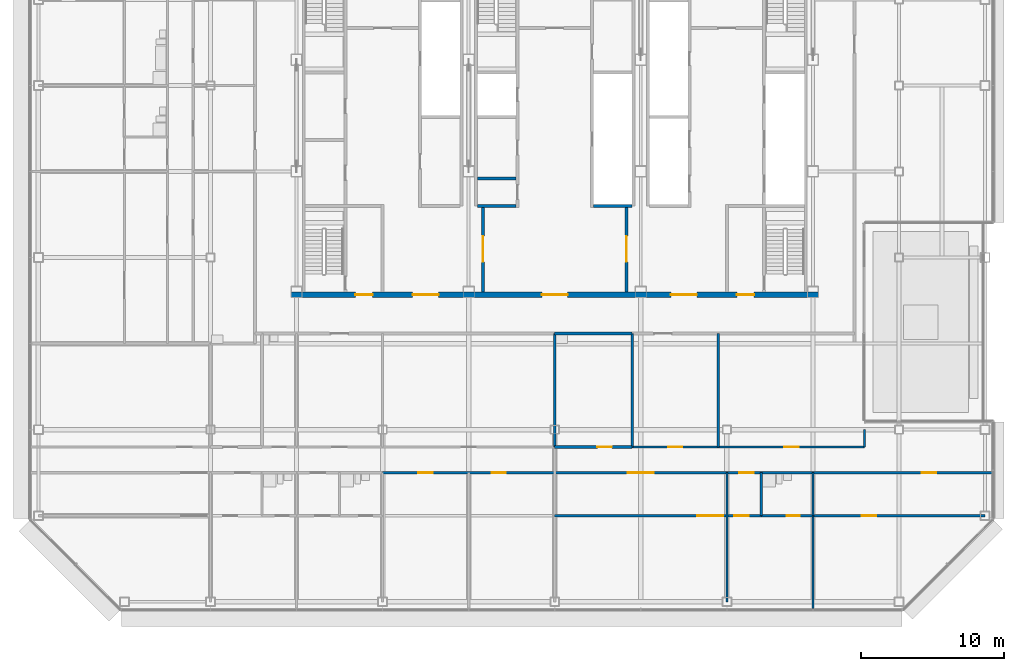
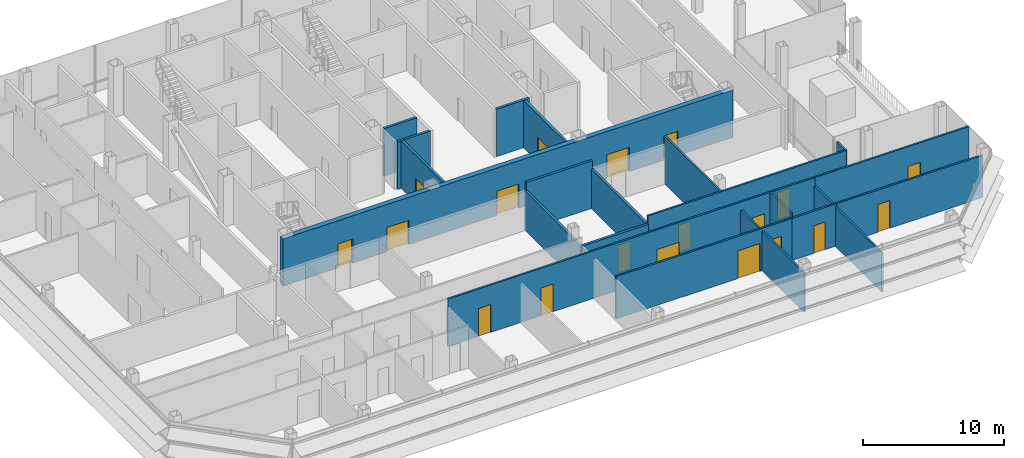
# One storey, part 23 of 30: 23 walls, 19 doors, 19 openings.
"""IFC4 building model written with IfcOpenShell, lengths in metres."""

from ifc_helpers import new_model, si_unit, direction, frame, frame_2d, origin, place, context, subcontext, project, spatial, rectangle, extrude, material, layer, layer_set, type_object, element, fill, save


model = new_model("IFC4")

# Units and contexts
model_context = context("Model", 3, precision=1e-05, world=origin(), true_north=direction((0.0, 1.0)))
body_context = subcontext(model_context, "Body", "Model", "MODEL_VIEW")
ifc_project = project(units=[si_unit("LENGTHUNIT", "METRE"), si_unit("AREAUNIT", "SQUARE_METRE"), si_unit("VOLUMEUNIT", "CUBIC_METRE"), si_unit("PLANEANGLEUNIT", "RADIAN"), si_unit("MASSUNIT", "GRAM", prefix="KILO")], contexts=[model_context])

# Site, building, storey
site_placement = place(None, origin())
site = spatial("IfcSite", under=ifc_project, at=site_placement, CompositionType="ELEMENT")
building_placement = place(site_placement, origin())
building = spatial("IfcBuilding", under=site, at=building_placement, Name="Sorahane Residences", CompositionType="ELEMENT")
storey_placement = place(building_placement, frame((0.0, 0.0, 229.800048828125)))
storey = spatial("IfcBuildingStorey", under=building, at=storey_placement, Name="L54", CompositionType="ELEMENT", Elevation=229.800048828125)

# Walls
ifc_material_1 = material(Name="Concrete blockwork C20 wall", Category="masonry")
ifc_layer_1 = layer(ifc_material_1, 0.199951171875)
ifc_layer_set_1 = layer_set([ifc_layer_1], Name="Kitchen wall 200 EI 180")
wall_type_1 = type_object("IfcWallType", Name="Kitchen wall 200 EI 180", PredefinedType="SOLIDWALL", material=ifc_layer_set_1)
for number, where, z_axis, x_axis, name in (
    (1, (24.0, 10.800048828125, 0.0), (0.0, 0.0, 1.0), (0.0, 1.0, 0.0), "L54 kitchen wall"),
    (2, (29.39990234375, 10.800048828125, 0.0), (0.0, 0.0, 1.0), (0.0, 1.0, 0.0), "L54 kitchen wall"),
):
    element("IfcWall", number, at=place(storey_placement, frame(where, z_axis=z_axis, x_axis=x_axis)), inside=storey, type_object=wall_type_1, Name=name, PredefinedType="SOLIDWALL", context=body_context, shape_type="SweptSolid", body=[
        extrude(rectangle(XDim=7.89990234375, YDim=0.199951171875, at=frame_2d((3.949951171875, 0.0))), origin(), (0.0, 0.0, 1.0), 3.39990234375),
    ])

# Wall, opening, door
wall_1_placement = place(storey_placement, frame((24.0, 10.800048828125, 0.0), z_axis=(0.0, 0.0, 1.0), x_axis=(1.0, 0.0, 0.0)))
wall_1 = element("IfcWall", 3, at=wall_1_placement, inside=storey, type_object=wall_type_1, Name="L54 kitchen wall", PredefinedType="SOLIDWALL", context=body_context, shape_type="SweptSolid", body=[
    extrude(rectangle(XDim=5.39990234375, YDim=0.199951171875, at=frame_2d((2.699951171875, 0.0))), origin(), (0.0, 0.0, 1.0), 3.39990234375),
])
opening_1_placement = place(wall_1_placement, frame((2.97998046875, 0.0, 0.0)))
opening_1 = element("IfcOpeningElement", 4, at=opening_1_placement, cuts=wall_1, Name="Opening L54-17", PredefinedType="OPENING", context=body_context, shape_type="SweptSolid", body=[
    extrude(rectangle(XDim=1.0, YDim=2.39990234375, at=frame_2d((0.5, 1.199951171875))), frame((0.0, 0.10986328125, 0.0), z_axis=(0.0, -1.0, 0.0), x_axis=(1.0, 0.0, 0.0)), (0.0, 0.0, 1.0), 0.219970703125),
])
ifc_material_2 = material(Name="Steel", Category="steel")
door_type_1 = type_object("IfcDoorType", Name="Kitchen door 1000x2400 FD120", OperationType="NOTDEFINED", PredefinedType="DOOR", material=ifc_material_2)
door_1_placement = place(opening_1_placement, origin())
door_1 = element("IfcDoor", 5, at=door_1_placement, inside=storey, type_object=door_type_1, Name="Kitchen door L54-17", OperationType="SINGLE_SWING_RIGHT", OverallHeight=2.39990234375, OverallWidth=1.0, PredefinedType="DOOR", context=body_context, shape_type="SweptSolid", body=[
    extrude(rectangle(XDim=1.0, YDim=2.39990234375, at=frame_2d((0.5, 1.199951171875))), frame((0.0, 0.02490234375, 0.0), z_axis=(0.0, -1.0, 0.0), x_axis=(1.0, 0.0, 0.0)), (0.0, 0.0, 1.0), 0.050048828125),
])
fill(opening_1, door_1)

# Walls
wall_2_placement = place(storey_placement, frame((24.0, 18.699951171875, 0.0), z_axis=(0.0, 0.0, 1.0), x_axis=(1.0, 0.0, 0.0)))
element("IfcWall", 6, at=wall_2_placement, inside=storey, type_object=wall_type_1, Name="L54 kitchen wall", PredefinedType="SOLIDWALL", context=body_context, shape_type="SweptSolid", body=[
    extrude(rectangle(XDim=5.39990234375, YDim=0.199951171875, at=frame_2d((2.699951171875, 0.0))), origin(), (0.0, 0.0, 1.0), 4.099853515625),
])
ifc_material_3 = material(Name="Gypsum board partition on steel studs", Category="steel")
ifc_layer_2 = layer(ifc_material_3, 0.14990234375)
ifc_layer_set_2 = layer_set([ifc_layer_2], Name="Partition 150 EI 90")
wall_type_2 = type_object("IfcWallType", Name="Partition 150 EI 90", PredefinedType="PARTITIONING", material=ifc_layer_set_2)
wall_3_placement = place(storey_placement, frame((35.39990234375, 10.800048828125, 0.0), z_axis=(0.0, 0.0, 1.0), x_axis=(0.0, 1.0, 0.0)))
element("IfcWall", 7, at=wall_3_placement, inside=storey, type_object=wall_type_2, Name="L54 partition", PredefinedType="PARTITIONING", context=body_context, shape_type="SweptSolid", body=[
    extrude(rectangle(XDim=7.89990234375, YDim=0.14990234375, at=frame_2d((3.949951171875, 0.0))), origin(), (0.0, 0.0, 1.0), 4.099853515625),
])
wall_4_placement = place(storey_placement, frame((36.0, 0.0, 0.0), z_axis=(0.0, 0.0, 1.0), x_axis=(0.0, 1.0, 0.0)))
element("IfcWall", 8, at=wall_4_placement, inside=storey, type_object=wall_type_2, Name="L54 partition", PredefinedType="PARTITIONING", context=body_context, shape_type="SweptSolid", body=[
    extrude(rectangle(XDim=9.0, YDim=0.14990234375, at=frame_2d((4.5, 0.0))), origin(), (0.0, 0.0, 1.0), 3.39990234375),
])
wall_5_placement = place(storey_placement, frame((42.0, -0.60009765625, 0.0), z_axis=(0.0, 0.0, 1.0), x_axis=(0.0, 1.0, 0.0)))
element("IfcWall", 9, at=wall_5_placement, inside=storey, type_object=wall_type_2, Name="L54 partition", PredefinedType="PARTITIONING", context=body_context, shape_type="SweptSolid", body=[
    extrude(rectangle(XDim=6.60009765625, YDim=0.14990234375, at=frame_2d((3.300048828125, 0.0))), origin(), (0.0, 0.0, 1.0), 3.39990234375),
])
wall_6_placement = place(storey_placement, frame((45.60009765625, 10.800048828125, 0.0), z_axis=(0.0, 0.0, 1.0), x_axis=(0.0, 1.0, 0.0)))
element("IfcWall", 10, at=wall_6_placement, inside=storey, type_object=wall_type_2, Name="L54 partition", PredefinedType="PARTITIONING", context=body_context, shape_type="SweptSolid", body=[
    extrude(rectangle(XDim=1.199951171875, YDim=0.14990234375, at=frame_2d((0.60009765625, 0.0))), origin(), (0.0, 0.0, 1.0), 4.099853515625),
])

# Wall, openings, doors
wall_7_placement = place(storey_placement, frame((29.39990234375, 10.800048828125, 0.0), z_axis=(0.0, 0.0, 1.0), x_axis=(1.0, 0.0, 0.0)))
wall_7 = element("IfcWall", 11, at=wall_7_placement, inside=storey, type_object=wall_type_2, Name="L54 partition", PredefinedType="PARTITIONING", context=body_context, shape_type="SweptSolid", body=[
    extrude(rectangle(XDim=16.2001953125, YDim=0.14990234375, at=frame_2d((8.10009765625, 0.0))), origin(), (0.0, 0.0, 1.0), 4.099853515625),
])
opening_2_placement = place(wall_7_placement, frame((2.5, 0.0, 0.0)))
opening_2 = element("IfcOpeningElement", 12, at=opening_2_placement, cuts=wall_7, Name="Opening L54-16", PredefinedType="OPENING", context=body_context, shape_type="SweptSolid", body=[
    extrude(rectangle(XDim=1.0, YDim=2.39990234375, at=frame_2d((0.5, 1.199951171875))), frame((0.0, 0.0849609375, 0.0), z_axis=(0.0, -1.0, 0.0), x_axis=(1.0, 0.0, 0.0)), (0.0, 0.0, 1.0), 0.169921875),
])
opening_3_placement = place(wall_7_placement, frame((10.60009765625, 0.0, 0.0)))
opening_3 = element("IfcOpeningElement", 13, at=opening_3_placement, cuts=wall_7, Name="Opening L54-18", PredefinedType="OPENING", context=body_context, shape_type="SweptSolid", body=[
    extrude(rectangle(XDim=1.0, YDim=2.39990234375, at=frame_2d((0.5, 1.199951171875))), frame((0.0, 0.0849609375, 0.0), z_axis=(0.0, -1.0, 0.0), x_axis=(1.0, 0.0, 0.0)), (0.0, 0.0, 1.0), 0.169921875),
])
ifc_material_4 = material(Name="Timber veneered fire door", Category="wood")
door_type_2 = type_object("IfcDoorType", Name="Room door 1000x2400 FD30", OperationType="NOTDEFINED", PredefinedType="DOOR", material=ifc_material_4)
door_2_placement = place(opening_2_placement, frame((1.0, 0.0, 0.0), z_axis=(0.0, 0.0, 1.0), x_axis=(-1.0, 0.0, 0.0)))
door_2 = element("IfcDoor", 14, at=door_2_placement, inside=storey, type_object=door_type_2, Name="Room door L54-16", OperationType="SINGLE_SWING_RIGHT", OverallHeight=2.39990234375, OverallWidth=1.0, PredefinedType="DOOR", context=body_context, shape_type="SweptSolid", body=[
    extrude(rectangle(XDim=1.0, YDim=2.39990234375, at=frame_2d((0.5, 1.199951171875))), frame((0.0, 0.02490234375, 0.0), z_axis=(0.0, -1.0, 0.0), x_axis=(1.0, 0.0, 0.0)), (0.0, 0.0, 1.0), 0.050048828125),
])
fill(opening_2, door_2)
door_3_placement = place(opening_3_placement, origin())
door_3 = element("IfcDoor", 15, at=door_3_placement, inside=storey, type_object=door_type_2, Name="Room door L54-18", OperationType="SINGLE_SWING_LEFT", OverallHeight=2.39990234375, OverallWidth=1.0, PredefinedType="DOOR", context=body_context, shape_type="SweptSolid", body=[
    extrude(rectangle(XDim=1.0, YDim=2.39990234375, at=frame_2d((0.5, 1.199951171875))), frame((0.0, 0.02490234375, 0.0), z_axis=(0.0, -1.0, 0.0), x_axis=(1.0, 0.0, 0.0)), (0.0, 0.0, 1.0), 0.050048828125),
])
fill(opening_3, door_3)

wall_8_placement = place(storey_placement, frame((24.0, 6.0, 0.0), z_axis=(0.0, 0.0, 1.0), x_axis=(1.0, 0.0, 0.0)))
wall_8 = element("IfcWall", 16, at=wall_8_placement, inside=storey, type_object=wall_type_2, Name="L54 partition", PredefinedType="PARTITIONING", context=body_context, shape_type="SweptSolid", body=[
    extrude(rectangle(XDim=14.39990234375, YDim=0.14990234375, at=frame_2d((7.199951171875, 0.0))), origin(), (0.0, 0.0, 1.0), 3.64990234375),
])
opening_4_placement = place(wall_8_placement, frame((9.949951171875, 0.0, 0.0)))
opening_4 = element("IfcOpeningElement", 17, at=opening_4_placement, cuts=wall_8, Name="Opening L54-22", PredefinedType="OPENING", context=body_context, shape_type="SweptSolid", body=[
    extrude(rectangle(XDim=1.800048828125, YDim=2.39990234375, at=frame_2d((0.89990234375, 1.199951171875))), frame((0.0, 0.0849609375, 0.0), z_axis=(0.0, -1.0, 0.0), x_axis=(1.0, 0.0, 0.0)), (0.0, 0.0, 1.0), 0.169921875),
])
opening_5_placement = place(wall_8_placement, frame((12.52001953125, 0.0, 0.0)))
opening_5 = element("IfcOpeningElement", 18, at=opening_5_placement, cuts=wall_8, Name="Opening L54-23", PredefinedType="OPENING", context=body_context, shape_type="SweptSolid", body=[
    extrude(rectangle(XDim=1.0, YDim=2.39990234375, at=frame_2d((0.5, 1.199951171875))), frame((0.0, 0.0849609375, 0.0), z_axis=(0.0, -1.0, 0.0), x_axis=(1.0, 0.0, 0.0)), (0.0, 0.0, 1.0), 0.169921875),
])
ifc_material_5 = material(Name="Timber veneered fire door", Category="wood")
door_type_3 = type_object("IfcDoorType", Name="Double door 1800x2400 FD30", OperationType="NOTDEFINED", PredefinedType="DOOR", material=ifc_material_5)
door_4_placement = place(opening_4_placement, frame((1.800048828125, 0.0, 0.0), z_axis=(0.0, 0.0, 1.0), x_axis=(-1.0, 0.0, 0.0)))
door_4 = element("IfcDoor", 19, at=door_4_placement, inside=storey, type_object=door_type_3, Name="Double door L54-22", OperationType="SINGLE_SWING_RIGHT", OverallHeight=2.39990234375, OverallWidth=1.800048828125, PredefinedType="DOOR", context=body_context, shape_type="SweptSolid", body=[
    extrude(rectangle(XDim=1.800048828125, YDim=2.39990234375, at=frame_2d((0.89990234375, 1.199951171875))), frame((0.0, 0.02490234375, 0.0), z_axis=(0.0, -1.0, 0.0), x_axis=(1.0, 0.0, 0.0)), (0.0, 0.0, 1.0), 0.050048828125),
])
fill(opening_4, door_4)
door_5_placement = place(opening_5_placement, frame((1.0, 0.0, 0.0), z_axis=(0.0, 0.0, 1.0), x_axis=(-1.0, 0.0, 0.0)))
door_5 = element("IfcDoor", 20, at=door_5_placement, inside=storey, type_object=door_type_2, Name="Room door L54-23", OperationType="SINGLE_SWING_RIGHT", OverallHeight=2.39990234375, OverallWidth=1.0, PredefinedType="DOOR", context=body_context, shape_type="SweptSolid", body=[
    extrude(rectangle(XDim=1.0, YDim=2.39990234375, at=frame_2d((0.5, 1.199951171875))), frame((0.0, 0.02490234375, 0.0), z_axis=(0.0, -1.0, 0.0), x_axis=(1.0, 0.0, 0.0)), (0.0, 0.0, 1.0), 0.050048828125),
])
fill(opening_5, door_5)

# Wall, opening, door
wall_9_placement = place(storey_placement, frame((42.0, 6.0, 0.0), z_axis=(0.0, 0.0, 1.0), x_axis=(1.0, 0.0, 0.0)))
wall_9 = element("IfcWall", 21, at=wall_9_placement, inside=storey, type_object=wall_type_2, Name="L54 partition", PredefinedType="PARTITIONING", context=body_context, shape_type="SweptSolid", body=[
    extrude(rectangle(XDim=12.0, YDim=0.14990234375, at=frame_2d((6.0, 0.0))), origin(), (0.0, 0.0, 1.0), 3.64990234375),
])
opening_6_placement = place(wall_9_placement, frame((3.39990234375, 0.0, 0.0)))
opening_6 = element("IfcOpeningElement", 22, at=opening_6_placement, cuts=wall_9, Name="Opening L54-25", PredefinedType="OPENING", context=body_context, shape_type="SweptSolid", body=[
    extrude(rectangle(XDim=1.0, YDim=2.39990234375, at=frame_2d((0.5, 1.199951171875))), frame((0.0, 0.0849609375, 0.0), z_axis=(0.0, -1.0, 0.0), x_axis=(1.0, 0.0, 0.0)), (0.0, 0.0, 1.0), 0.169921875),
])
door_6_placement = place(opening_6_placement, frame((1.0, 0.0, 0.0), z_axis=(0.0, 0.0, 1.0), x_axis=(-1.0, 0.0, 0.0)))
door_6 = element("IfcDoor", 23, at=door_6_placement, inside=storey, type_object=door_type_2, Name="Room door L54-25", OperationType="SINGLE_SWING_LEFT", OverallHeight=2.39990234375, OverallWidth=1.0, PredefinedType="DOOR", context=body_context, shape_type="SweptSolid", body=[
    extrude(rectangle(XDim=1.0, YDim=2.39990234375, at=frame_2d((0.5, 1.199951171875))), frame((0.0, 0.02490234375, 0.0), z_axis=(0.0, -1.0, 0.0), x_axis=(1.0, 0.0, 0.0)), (0.0, 0.0, 1.0), 0.050048828125),
])
fill(opening_6, door_6)

# Wall, openings, doors
wall_10_placement = place(storey_placement, frame((12.0, 9.0, 0.0), z_axis=(0.0, 0.0, 1.0), x_axis=(1.0, 0.0, 0.0)))
wall_10 = element("IfcWall", 24, at=wall_10_placement, inside=storey, type_object=wall_type_2, Name="L54 partition", PredefinedType="PARTITIONING", context=body_context, shape_type="SweptSolid", body=[
    extrude(rectangle(XDim=26.39990234375, YDim=0.14990234375, at=frame_2d((13.199951171875, 0.0))), origin(), (0.0, 0.0, 1.0), 4.099853515625),
])
opening_7_placement = place(wall_10_placement, frame((2.5, 0.0, 0.0)))
opening_7 = element("IfcOpeningElement", 25, at=opening_7_placement, cuts=wall_10, Name="Opening L54-09", PredefinedType="OPENING", context=body_context, shape_type="SweptSolid", body=[
    extrude(rectangle(XDim=1.0, YDim=2.39990234375, at=frame_2d((0.5, 1.199951171875))), frame((0.0, 0.0849609375, 0.0), z_axis=(0.0, -1.0, 0.0), x_axis=(1.0, 0.0, 0.0)), (0.0, 0.0, 1.0), 0.169921875),
])
opening_8_placement = place(wall_10_placement, frame((7.60009765625, 0.0, 0.0)))
opening_8 = element("IfcOpeningElement", 26, at=opening_8_placement, cuts=wall_10, Name="Opening L54-10", PredefinedType="OPENING", context=body_context, shape_type="SweptSolid", body=[
    extrude(rectangle(XDim=1.0, YDim=2.39990234375, at=frame_2d((0.5, 1.199951171875))), frame((0.0, 0.0849609375, 0.0), z_axis=(0.0, -1.0, 0.0), x_axis=(1.0, 0.0, 0.0)), (0.0, 0.0, 1.0), 0.169921875),
])
opening_9_placement = place(wall_10_placement, frame((17.10009765625, 0.0, 0.0)))
opening_9 = element("IfcOpeningElement", 27, at=opening_9_placement, cuts=wall_10, Name="Opening L54-19", PredefinedType="OPENING", context=body_context, shape_type="SweptSolid", body=[
    extrude(rectangle(XDim=1.800048828125, YDim=2.39990234375, at=frame_2d((0.89990234375, 1.199951171875))), frame((0.0, 0.0849609375, 0.0), z_axis=(0.0, -1.0, 0.0), x_axis=(1.0, 0.0, 0.0)), (0.0, 0.0, 1.0), 0.169921875),
])
opening_10_placement = place(wall_10_placement, frame((24.8798828125, 0.0, 0.0)))
opening_10 = element("IfcOpeningElement", 28, at=opening_10_placement, cuts=wall_10, Name="Opening L54-20", PredefinedType="OPENING", context=body_context, shape_type="SweptSolid", body=[
    extrude(rectangle(XDim=1.0, YDim=2.39990234375, at=frame_2d((0.5, 1.199951171875))), frame((0.0, 0.0849609375, 0.0), z_axis=(0.0, -1.0, 0.0), x_axis=(1.0, 0.0, 0.0)), (0.0, 0.0, 1.0), 0.169921875),
])
door_7_placement = place(opening_9_placement, frame((1.800048828125, 0.0, 0.0), z_axis=(0.0, 0.0, 1.0), x_axis=(-1.0, 0.0, 0.0)))
door_7 = element("IfcDoor", 29, at=door_7_placement, inside=storey, type_object=door_type_3, Name="Double door L54-19", OperationType="SINGLE_SWING_LEFT", OverallHeight=2.39990234375, OverallWidth=1.800048828125, PredefinedType="DOOR", context=body_context, shape_type="SweptSolid", body=[
    extrude(rectangle(XDim=1.800048828125, YDim=2.39990234375, at=frame_2d((0.89990234375, 1.199951171875))), frame((0.0, 0.02490234375, 0.0), z_axis=(0.0, -1.0, 0.0), x_axis=(1.0, 0.0, 0.0)), (0.0, 0.0, 1.0), 0.050048828125),
])
fill(opening_9, door_7)
door_8_placement = place(opening_7_placement, frame((1.0, 0.0, 0.0), z_axis=(0.0, 0.0, 1.0), x_axis=(-1.0, 0.0, 0.0)))
door_8 = element("IfcDoor", 30, at=door_8_placement, inside=storey, type_object=door_type_2, Name="Room door L54-09", OperationType="SINGLE_SWING_LEFT", OverallHeight=2.39990234375, OverallWidth=1.0, PredefinedType="DOOR", context=body_context, shape_type="SweptSolid", body=[
    extrude(rectangle(XDim=1.0, YDim=2.39990234375, at=frame_2d((0.5, 1.199951171875))), frame((0.0, 0.02490234375, 0.0), z_axis=(0.0, -1.0, 0.0), x_axis=(1.0, 0.0, 0.0)), (0.0, 0.0, 1.0), 0.050048828125),
])
fill(opening_7, door_8)
door_9_placement = place(opening_8_placement, frame((1.0, 0.0, 0.0), z_axis=(0.0, 0.0, 1.0), x_axis=(-1.0, 0.0, 0.0)))
door_9 = element("IfcDoor", 31, at=door_9_placement, inside=storey, type_object=door_type_2, Name="Room door L54-10", OperationType="SINGLE_SWING_RIGHT", OverallHeight=2.39990234375, OverallWidth=1.0, PredefinedType="DOOR", context=body_context, shape_type="SweptSolid", body=[
    extrude(rectangle(XDim=1.0, YDim=2.39990234375, at=frame_2d((0.5, 1.199951171875))), frame((0.0, 0.02490234375, 0.0), z_axis=(0.0, -1.0, 0.0), x_axis=(1.0, 0.0, 0.0)), (0.0, 0.0, 1.0), 0.050048828125),
])
fill(opening_8, door_9)
door_10_placement = place(opening_10_placement, frame((1.0, 0.0, 0.0), z_axis=(0.0, 0.0, 1.0), x_axis=(-1.0, 0.0, 0.0)))
door_10 = element("IfcDoor", 32, at=door_10_placement, inside=storey, type_object=door_type_2, Name="Room door L54-20", OperationType="SINGLE_SWING_LEFT", OverallHeight=2.39990234375, OverallWidth=1.0, PredefinedType="DOOR", context=body_context, shape_type="SweptSolid", body=[
    extrude(rectangle(XDim=1.0, YDim=2.39990234375, at=frame_2d((0.5, 1.199951171875))), frame((0.0, 0.02490234375, 0.0), z_axis=(0.0, -1.0, 0.0), x_axis=(1.0, 0.0, 0.0)), (0.0, 0.0, 1.0), 0.050048828125),
])
fill(opening_10, door_10)

# Wall, opening, door
wall_11_placement = place(storey_placement, frame((42.0, 9.0, 0.0), z_axis=(0.0, 0.0, 1.0), x_axis=(1.0, 0.0, 0.0)))
wall_11 = element("IfcWall", 33, at=wall_11_placement, inside=storey, type_object=wall_type_2, Name="L54 partition", PredefinedType="PARTITIONING", context=body_context, shape_type="SweptSolid", body=[
    extrude(rectangle(XDim=12.60009765625, YDim=0.14990234375, at=frame_2d((6.300048828125, 0.0))), origin(), (0.0, 0.0, 1.0), 4.099853515625),
])
opening_11_placement = place(wall_11_placement, frame((7.60009765625, 0.0, 0.0)))
opening_11 = element("IfcOpeningElement", 34, at=opening_11_placement, cuts=wall_11, Name="Opening L54-21", PredefinedType="OPENING", context=body_context, shape_type="SweptSolid", body=[
    extrude(rectangle(XDim=1.0, YDim=2.39990234375, at=frame_2d((0.5, 1.199951171875))), frame((0.0, 0.0849609375, 0.0), z_axis=(0.0, -1.0, 0.0), x_axis=(1.0, 0.0, 0.0)), (0.0, 0.0, 1.0), 0.169921875),
])
door_11_placement = place(opening_11_placement, frame((1.0, 0.0, 0.0), z_axis=(0.0, 0.0, 1.0), x_axis=(-1.0, 0.0, 0.0)))
door_11 = element("IfcDoor", 35, at=door_11_placement, inside=storey, type_object=door_type_2, Name="Room door L54-21", OperationType="SINGLE_SWING_RIGHT", OverallHeight=2.39990234375, OverallWidth=1.0, PredefinedType="DOOR", context=body_context, shape_type="SweptSolid", body=[
    extrude(rectangle(XDim=1.0, YDim=2.39990234375, at=frame_2d((0.5, 1.199951171875))), frame((0.0, 0.02490234375, 0.0), z_axis=(0.0, -1.0, 0.0), x_axis=(1.0, 0.0, 0.0)), (0.0, 0.0, 1.0), 0.050048828125),
])
fill(opening_11, door_11)

# Wall
ifc_material_6 = material(Name="Concrete C30", Category="concrete")
ifc_layer_3 = layer(ifc_material_6, 0.199951171875)
ifc_layer_set_3 = layer_set([ifc_layer_3], Name="Riser shaft wall 200 EI 120")
wall_type_3 = type_object("IfcWallType", Name="Riser shaft wall 200 EI 120", PredefinedType="SOLIDWALL", material=ifc_layer_set_3)
wall_12_placement = place(storey_placement, frame((26.699951171875, 27.60009765625, 0.0), z_axis=(0.0, 0.0, 1.0), x_axis=(1.0, 0.0, 0.0)))
element("IfcWall", 36, at=wall_12_placement, inside=storey, type_object=wall_type_3, Name="L54 riser wall", PredefinedType="SOLIDWALL", context=body_context, shape_type="SweptSolid", body=[
    extrude(rectangle(XDim=2.699951171875, YDim=0.199951171875, at=frame_2d((1.35009765625, 0.0))), origin(), (0.0, 0.0, 1.0), 4.099853515625),
])

# Wall, opening, door
ifc_material_7 = material(Name="Concrete C30", Category="concrete")
ifc_layer_4 = layer(ifc_material_7, 0.199951171875)
ifc_layer_set_4 = layer_set([ifc_layer_4], Name="Service room partition 200 EI 60")
wall_type_4 = type_object("IfcWallType", Name="Service room partition 200 EI 60", PredefinedType="PARTITIONING", material=ifc_layer_set_4)
wall_13_placement = place(storey_placement, frame((19.0, 21.60009765625, 0.0), z_axis=(0.0, 0.0, 1.0), x_axis=(0.0, 1.0, 0.0)))
wall_13 = element("IfcWall", 37, at=wall_13_placement, inside=storey, type_object=wall_type_4, Name="L54 service room wall", PredefinedType="PARTITIONING", context=body_context, shape_type="SweptSolid", body=[
    extrude(rectangle(XDim=6.0, YDim=0.199951171875, at=frame_2d((3.0, 0.0))), origin(), (0.0, 0.0, 1.0), 4.099853515625),
])
opening_12_placement = place(wall_13_placement, frame((2.10009765625, 0.0, 0.0)))
opening_12 = element("IfcOpeningElement", 38, at=opening_12_placement, cuts=wall_13, Name="Opening L54-C02", PredefinedType="OPENING", context=body_context, shape_type="SweptSolid", body=[
    extrude(rectangle(XDim=1.800048828125, YDim=2.10009765625, at=frame_2d((0.89990234375, 1.050048828125))), frame((0.0, 0.10986328125, 0.0), z_axis=(0.0, -1.0, 0.0), x_axis=(1.0, 0.0, 0.0)), (0.0, 0.0, 1.0), 0.219970703125),
])
ifc_material_8 = material(Name="Steel", Category="steel")
door_type_4 = type_object("IfcDoorType", Name="Waiting hall door 1800x2100 FD60", OperationType="NOTDEFINED", PredefinedType="DOOR", material=ifc_material_8)
door_12_placement = place(opening_12_placement, origin())
door_12 = element("IfcDoor", 39, at=door_12_placement, inside=storey, type_object=door_type_4, Name="Waiting hall door Residents' waiting hall west L54", OperationType="SINGLE_SWING_LEFT", OverallHeight=2.10009765625, OverallWidth=1.800048828125, PredefinedType="DOOR", context=body_context, shape_type="SweptSolid", body=[
    extrude(rectangle(XDim=1.800048828125, YDim=2.10009765625, at=frame_2d((0.89990234375, 1.050048828125))), frame((0.0, 0.02490234375, 0.0), z_axis=(0.0, -1.0, 0.0), x_axis=(1.0, 0.0, 0.0)), (0.0, 0.0, 1.0), 0.050048828125),
])
fill(opening_12, door_12)

wall_14_placement = place(storey_placement, frame((29.0, 21.60009765625, 0.0), z_axis=(0.0, 0.0, 1.0), x_axis=(0.0, 1.0, 0.0)))
wall_14 = element("IfcWall", 40, at=wall_14_placement, inside=storey, type_object=wall_type_4, Name="L54 service room wall", PredefinedType="PARTITIONING", context=body_context, shape_type="SweptSolid", body=[
    extrude(rectangle(XDim=6.0, YDim=0.199951171875, at=frame_2d((3.0, 0.0))), origin(), (0.0, 0.0, 1.0), 4.099853515625),
])
opening_13_placement = place(wall_14_placement, frame((2.10009765625, 0.0, 0.0)))
opening_13 = element("IfcOpeningElement", 41, at=opening_13_placement, cuts=wall_14, Name="Opening L54-C04", PredefinedType="OPENING", context=body_context, shape_type="SweptSolid", body=[
    extrude(rectangle(XDim=1.800048828125, YDim=2.10009765625, at=frame_2d((0.89990234375, 1.050048828125))), frame((0.0, 0.10986328125, 0.0), z_axis=(0.0, -1.0, 0.0), x_axis=(1.0, 0.0, 0.0)), (0.0, 0.0, 1.0), 0.219970703125),
])
door_13_placement = place(opening_13_placement, origin())
door_13 = element("IfcDoor", 42, at=door_13_placement, inside=storey, type_object=door_type_4, Name="Waiting hall door Residents' waiting hall centre L54", OperationType="SINGLE_SWING_LEFT", OverallHeight=2.10009765625, OverallWidth=1.800048828125, PredefinedType="DOOR", context=body_context, shape_type="SweptSolid", body=[
    extrude(rectangle(XDim=1.800048828125, YDim=2.10009765625, at=frame_2d((0.89990234375, 1.050048828125))), frame((0.0, 0.02490234375, 0.0), z_axis=(0.0, -1.0, 0.0), x_axis=(1.0, 0.0, 0.0)), (0.0, 0.0, 1.0), 0.050048828125),
])
fill(opening_13, door_13)

# Walls
for number, where, z_axis, x_axis, name in (
    (43, (18.60009765625, 27.60009765625, 0.0), (0.0, 0.0, 1.0), (1.0, 0.0, 0.0), "L54 service room wall"),
    (44, (18.60009765625, 29.5, 0.0), (0.0, 0.0, 1.0), (1.0, 0.0, 0.0), "L54 service room wall"),
):
    element("IfcWall", number, at=place(storey_placement, frame(where, z_axis=z_axis, x_axis=x_axis)), inside=storey, type_object=wall_type_4, Name=name, PredefinedType="PARTITIONING", context=body_context, shape_type="SweptSolid", body=[
        extrude(rectangle(XDim=2.699951171875, YDim=0.199951171875, at=frame_2d((1.35009765625, 0.0))), origin(), (0.0, 0.0, 1.0), 4.099853515625),
    ])

# Wall, openings, doors
ifc_material_9 = material(Name="Concrete C30", Category="concrete")
ifc_layer_5 = layer(ifc_material_9, 0.39990234375)
ifc_layer_set_5 = layer_set([ifc_layer_5], Name="Waiting hall wall 400 EI 120")
wall_type_5 = type_object("IfcWallType", Name="Waiting hall wall 400 EI 120", PredefinedType="SOLIDWALL", material=ifc_layer_set_5)
wall_15_placement = place(storey_placement, frame((5.60009765625, 21.39990234375, 0.0), z_axis=(0.0, 0.0, 1.0), x_axis=(1.0, 0.0, 0.0)))
wall_15 = element("IfcWall", 45, at=wall_15_placement, inside=storey, type_object=wall_type_5, Name="L54 waiting hall wall", PredefinedType="SOLIDWALL", context=body_context, shape_type="SweptSolid", body=[
    extrude(rectangle(XDim=36.7998046875, YDim=0.39990234375, at=frame_2d((18.39990234375, 0.0))), origin(), (0.0, 0.0, 1.0), 4.099853515625),
])
opening_14_placement = place(wall_15_placement, frame((8.5, 0.0, 0.0)))
opening_14 = element("IfcOpeningElement", 46, at=opening_14_placement, cuts=wall_15, Name="Opening L54-C01", PredefinedType="OPENING", context=body_context, shape_type="SweptSolid", body=[
    extrude(rectangle(XDim=1.800048828125, YDim=2.10009765625, at=frame_2d((0.89990234375, 1.050048828125))), frame((0.0, 0.2099609375, 0.0), z_axis=(0.0, -1.0, 0.0), x_axis=(1.0, 0.0, 0.0)), (0.0, 0.0, 1.0), 0.419921875),
])
opening_15_placement = place(wall_15_placement, frame((17.5, 0.0, 0.0)))
opening_15 = element("IfcOpeningElement", 47, at=opening_15_placement, cuts=wall_15, Name="Opening L54-C03", PredefinedType="OPENING", context=body_context, shape_type="SweptSolid", body=[
    extrude(rectangle(XDim=1.800048828125, YDim=2.10009765625, at=frame_2d((0.89990234375, 1.050048828125))), frame((0.0, 0.2099609375, 0.0), z_axis=(0.0, -1.0, 0.0), x_axis=(1.0, 0.0, 0.0)), (0.0, 0.0, 1.0), 0.419921875),
])
opening_16_placement = place(wall_15_placement, frame((26.5, 0.0, 0.0)))
opening_16 = element("IfcOpeningElement", 48, at=opening_16_placement, cuts=wall_15, Name="Opening L54-C05", PredefinedType="OPENING", context=body_context, shape_type="SweptSolid", body=[
    extrude(rectangle(XDim=1.800048828125, YDim=2.10009765625, at=frame_2d((0.89990234375, 1.050048828125))), frame((0.0, 0.2099609375, 0.0), z_axis=(0.0, -1.0, 0.0), x_axis=(1.0, 0.0, 0.0)), (0.0, 0.0, 1.0), 0.419921875),
])
opening_17_placement = place(wall_15_placement, frame((4.5, 0.0, 0.0)))
opening_17 = element("IfcOpeningElement", 49, at=opening_17_placement, cuts=wall_15, Name="Opening L54-C06", PredefinedType="OPENING", context=body_context, shape_type="SweptSolid", body=[
    extrude(rectangle(XDim=1.199951171875, YDim=2.10009765625, at=frame_2d((0.60009765625, 1.050048828125))), frame((0.0, 0.2099609375, 0.0), z_axis=(0.0, -1.0, 0.0), x_axis=(1.0, 0.0, 0.0)), (0.0, 0.0, 1.0), 0.419921875),
])
opening_18_placement = place(wall_15_placement, frame((31.10009765625, 0.0, 0.0)))
opening_18 = element("IfcOpeningElement", 50, at=opening_18_placement, cuts=wall_15, Name="Opening L54-C07", PredefinedType="OPENING", context=body_context, shape_type="SweptSolid", body=[
    extrude(rectangle(XDim=1.199951171875, YDim=2.10009765625, at=frame_2d((0.60009765625, 1.050048828125))), frame((0.0, 0.2099609375, 0.0), z_axis=(0.0, -1.0, 0.0), x_axis=(1.0, 0.0, 0.0)), (0.0, 0.0, 1.0), 0.419921875),
])
ifc_material_10 = material(Name="Steel", Category="steel")
door_type_5 = type_object("IfcDoorType", Name="Stair front room door 1200x2100 FD120", OperationType="NOTDEFINED", PredefinedType="DOOR", material=ifc_material_10)
door_14_placement = place(opening_17_placement, frame((1.199951171875, 0.0, 0.0), z_axis=(0.0, 0.0, 1.0), x_axis=(-1.0, 0.0, 0.0)))
door_14 = element("IfcDoor", 51, at=door_14_placement, inside=storey, type_object=door_type_5, Name="Stair front room door Stair S4 front room L54", OperationType="SINGLE_SWING_LEFT", OverallHeight=2.10009765625, OverallWidth=1.199951171875, PredefinedType="DOOR", context=body_context, shape_type="SweptSolid", body=[
    extrude(rectangle(XDim=1.199951171875, YDim=2.10009765625, at=frame_2d((0.60009765625, 1.050048828125))), frame((0.0, 0.02490234375, 0.0), z_axis=(0.0, -1.0, 0.0), x_axis=(1.0, 0.0, 0.0)), (0.0, 0.0, 1.0), 0.050048828125),
])
fill(opening_17, door_14)
door_15_placement = place(opening_18_placement, frame((1.199951171875, 0.0, 0.0), z_axis=(0.0, 0.0, 1.0), x_axis=(-1.0, 0.0, 0.0)))
door_15 = element("IfcDoor", 52, at=door_15_placement, inside=storey, type_object=door_type_5, Name="Stair front room door Stair S5 front room L54", OperationType="SINGLE_SWING_LEFT", OverallHeight=2.10009765625, OverallWidth=1.199951171875, PredefinedType="DOOR", context=body_context, shape_type="SweptSolid", body=[
    extrude(rectangle(XDim=1.199951171875, YDim=2.10009765625, at=frame_2d((0.60009765625, 1.050048828125))), frame((0.0, 0.02490234375, 0.0), z_axis=(0.0, -1.0, 0.0), x_axis=(1.0, 0.0, 0.0)), (0.0, 0.0, 1.0), 0.050048828125),
])
fill(opening_18, door_15)
door_16_placement = place(opening_14_placement, frame((1.800048828125, 0.0, 0.0), z_axis=(0.0, 0.0, 1.0), x_axis=(-1.0, 0.0, 0.0)))
door_16 = element("IfcDoor", 53, at=door_16_placement, inside=storey, type_object=door_type_4, Name="Waiting hall door Residents' waiting hall west L54", OperationType="SINGLE_SWING_LEFT", OverallHeight=2.10009765625, OverallWidth=1.800048828125, PredefinedType="DOOR", context=body_context, shape_type="SweptSolid", body=[
    extrude(rectangle(XDim=1.800048828125, YDim=2.10009765625, at=frame_2d((0.89990234375, 1.050048828125))), frame((0.0, 0.02490234375, 0.0), z_axis=(0.0, -1.0, 0.0), x_axis=(1.0, 0.0, 0.0)), (0.0, 0.0, 1.0), 0.050048828125),
])
fill(opening_14, door_16)
door_17_placement = place(opening_15_placement, frame((1.800048828125, 0.0, 0.0), z_axis=(0.0, 0.0, 1.0), x_axis=(-1.0, 0.0, 0.0)))
door_17 = element("IfcDoor", 54, at=door_17_placement, inside=storey, type_object=door_type_4, Name="Waiting hall door Residents' waiting hall centre L54", OperationType="SINGLE_SWING_LEFT", OverallHeight=2.10009765625, OverallWidth=1.800048828125, PredefinedType="DOOR", context=body_context, shape_type="SweptSolid", body=[
    extrude(rectangle(XDim=1.800048828125, YDim=2.10009765625, at=frame_2d((0.89990234375, 1.050048828125))), frame((0.0, 0.02490234375, 0.0), z_axis=(0.0, -1.0, 0.0), x_axis=(1.0, 0.0, 0.0)), (0.0, 0.0, 1.0), 0.050048828125),
])
fill(opening_15, door_17)
door_18_placement = place(opening_16_placement, frame((1.800048828125, 0.0, 0.0), z_axis=(0.0, 0.0, 1.0), x_axis=(-1.0, 0.0, 0.0)))
door_18 = element("IfcDoor", 55, at=door_18_placement, inside=storey, type_object=door_type_4, Name="Waiting hall door Residents' waiting hall east L54", OperationType="SINGLE_SWING_LEFT", OverallHeight=2.10009765625, OverallWidth=1.800048828125, PredefinedType="DOOR", context=body_context, shape_type="SweptSolid", body=[
    extrude(rectangle(XDim=1.800048828125, YDim=2.10009765625, at=frame_2d((0.89990234375, 1.050048828125))), frame((0.0, 0.02490234375, 0.0), z_axis=(0.0, -1.0, 0.0), x_axis=(1.0, 0.0, 0.0)), (0.0, 0.0, 1.0), 0.050048828125),
])
fill(opening_16, door_18)

# Walls
ifc_material_11 = material(Name="Gypsum board partition on steel studs", Category="steel")
ifc_layer_6 = layer(ifc_material_11, 0.14990234375)
ifc_layer_set_6 = layer_set([ifc_layer_6], Name="Wet wall 150 EI 90")
wall_type_6 = type_object("IfcWallType", Name="Wet wall 150 EI 90", PredefinedType="PARTITIONING", material=ifc_layer_set_6)
wall_16_placement = place(storey_placement, frame((38.39990234375, 6.0, 0.0), z_axis=(0.0, 0.0, 1.0), x_axis=(0.0, 1.0, 0.0)))
element("IfcWall", 56, at=wall_16_placement, inside=storey, type_object=wall_type_6, Name="L54 wet wall", PredefinedType="PARTITIONING", context=body_context, shape_type="SweptSolid", body=[
    extrude(rectangle(XDim=3.0, YDim=0.14990234375, at=frame_2d((1.5, 0.0))), origin(), (0.0, 0.0, 1.0), 4.099853515625),
])
wall_17_placement = place(storey_placement, frame((42.0, 6.0, 0.0), z_axis=(0.0, 0.0, 1.0), x_axis=(0.0, 1.0, 0.0)))
element("IfcWall", 57, at=wall_17_placement, inside=storey, type_object=wall_type_6, Name="L54 wet wall", PredefinedType="PARTITIONING", context=body_context, shape_type="SweptSolid", body=[
    extrude(rectangle(XDim=3.0, YDim=0.14990234375, at=frame_2d((1.5, 0.0))), origin(), (0.0, 0.0, 1.0), 3.39990234375),
])

# Wall, opening, door
wall_18_placement = place(storey_placement, frame((38.39990234375, 6.0, 0.0), z_axis=(0.0, 0.0, 1.0), x_axis=(1.0, 0.0, 0.0)))
wall_18 = element("IfcWall", 58, at=wall_18_placement, inside=storey, type_object=wall_type_6, Name="L54 wet wall", PredefinedType="PARTITIONING", context=body_context, shape_type="SweptSolid", body=[
    extrude(rectangle(XDim=3.60009765625, YDim=0.14990234375, at=frame_2d((1.800048828125, 0.0))), origin(), (0.0, 0.0, 1.0), 3.64990234375),
])
opening_19_placement = place(wall_18_placement, frame((1.7900390625, 0.0, 0.0)))
opening_19 = element("IfcOpeningElement", 59, at=opening_19_placement, cuts=wall_18, Name="Opening L54-24", PredefinedType="OPENING", context=body_context, shape_type="SweptSolid", body=[
    extrude(rectangle(XDim=0.89990234375, YDim=2.39990234375, at=frame_2d((0.449951171875, 1.199951171875))), frame((0.0, 0.0849609375, 0.0), z_axis=(0.0, -1.0, 0.0), x_axis=(1.0, 0.0, 0.0)), (0.0, 0.0, 1.0), 0.169921875),
])
ifc_material_12 = material(Name="Timber veneered fire door", Category="wood")
door_type_6 = type_object("IfcDoorType", Name="Bathroom door 900x2400 FD30", OperationType="NOTDEFINED", PredefinedType="DOOR", material=ifc_material_12)
door_19_placement = place(opening_19_placement, frame((0.89990234375, 0.0, 0.0), z_axis=(0.0, 0.0, 1.0), x_axis=(-1.0, 0.0, 0.0)))
door_19 = element("IfcDoor", 60, at=door_19_placement, inside=storey, type_object=door_type_6, Name="Bathroom door L54-24", OperationType="SINGLE_SWING_RIGHT", OverallHeight=2.39990234375, OverallWidth=0.89990234375, PredefinedType="DOOR", context=body_context, shape_type="SweptSolid", body=[
    extrude(rectangle(XDim=0.89990234375, YDim=2.39990234375, at=frame_2d((0.449951171875, 1.199951171875))), frame((0.0, 0.02490234375, 0.0), z_axis=(0.0, -1.0, 0.0), x_axis=(1.0, 0.0, 0.0)), (0.0, 0.0, 1.0), 0.050048828125),
])
fill(opening_19, door_19)

# Wall
wall_19_placement = place(storey_placement, frame((38.39990234375, 9.0, 0.0), z_axis=(0.0, 0.0, 1.0), x_axis=(1.0, 0.0, 0.0)))
element("IfcWall", 61, at=wall_19_placement, inside=storey, type_object=wall_type_6, Name="L54 wet wall", PredefinedType="PARTITIONING", context=body_context, shape_type="SweptSolid", body=[
    extrude(rectangle(XDim=3.60009765625, YDim=0.14990234375, at=frame_2d((1.800048828125, 0.0))), origin(), (0.0, 0.0, 1.0), 4.099853515625),
])

save(model, "model.ifc")
